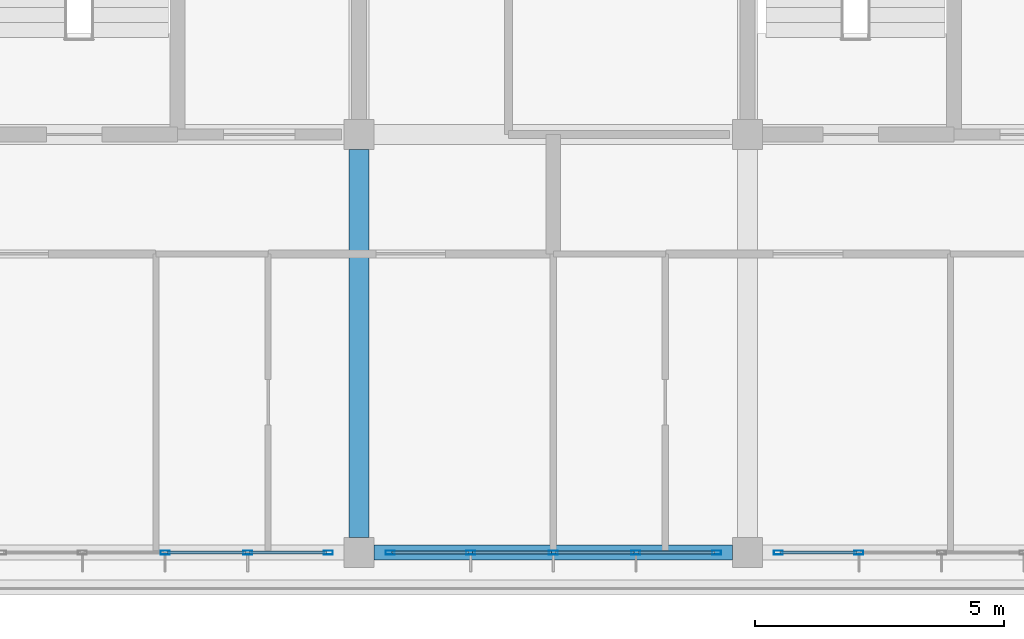
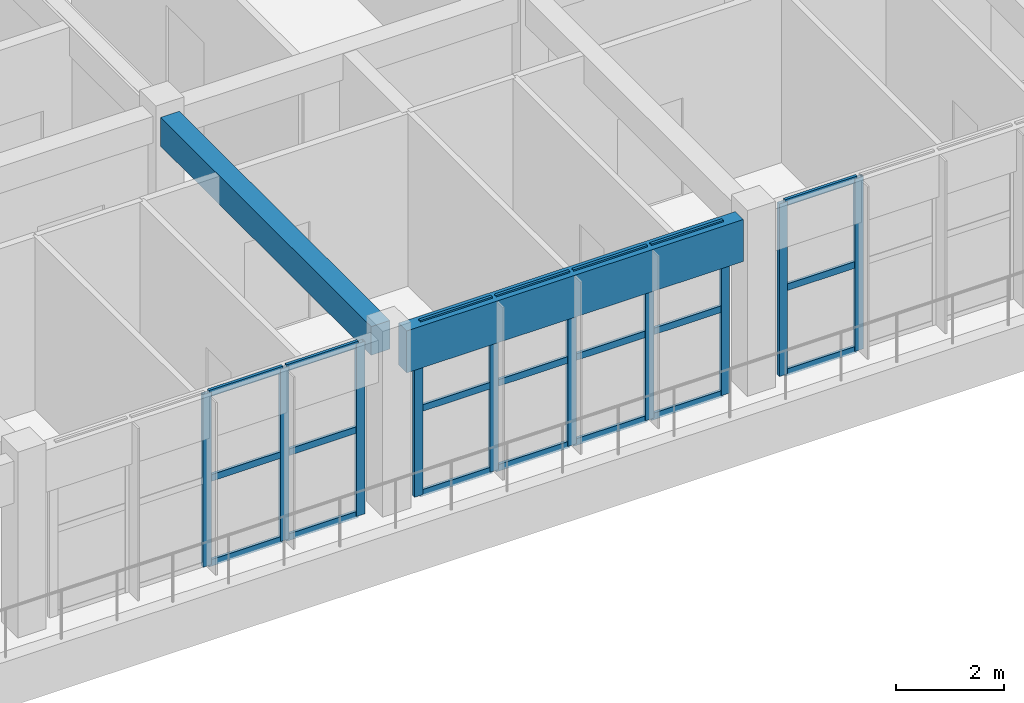
# One storey, part 14 of 56: 31 members, 2 beams, 3 elements without a shape of their own.
"""IFC4 building model written with IfcOpenShell, lengths in metres."""

from ifc_helpers import new_model, si_unit, direction, frame, origin, origin_2d, place, context, subcontext, project, spatial, rectangle, hollow_rectangle, extrude, material, layer, layer_set, material_profile, profile_set, type_object, element, aggregate, save


model = new_model("IFC4")

# Units and contexts
model_context = context("Model", 3, precision=1e-05, world=origin(), true_north=direction((0.0, 1.0)))
body_context = subcontext(model_context, "Body", "Model", "MODEL_VIEW")
ifc_project = project(units=[si_unit("LENGTHUNIT", "METRE"), si_unit("AREAUNIT", "SQUARE_METRE"), si_unit("VOLUMEUNIT", "CUBIC_METRE"), si_unit("PLANEANGLEUNIT", "RADIAN"), si_unit("MASSUNIT", "GRAM", prefix="KILO")], contexts=[model_context])

# Site, building, storey
site_placement = place(None, origin())
site = spatial("IfcSite", under=ifc_project, at=site_placement, CompositionType="ELEMENT")
building_placement = place(site_placement, origin())
building = spatial("IfcBuilding", under=site, at=building_placement, Name="Zizhar Promenade General Hospital", CompositionType="ELEMENT")
storey_placement = place(building_placement, frame((0.0, 0.0, 26.39990234375)))
storey = spatial("IfcBuildingStorey", under=building, at=storey_placement, Name="L06", CompositionType="ELEMENT", Elevation=26.39990234375)

# Beams
ifc_material_1 = material(Name="Precast concrete C40/50", Category="concrete")
ifc_material_profile_1 = material_profile(ifc_material_1, rectangle(XDim=0.300048828125, YDim=0.949951171875, at=origin_2d()))
ifc_profile_set_1 = profile_set([ifc_material_profile_1], Name="Precast concrete C40/50")
beam_type_1 = type_object("IfcBeamType", Name="BM-PC-BAND950", PredefinedType="SPANDREL", material=ifc_profile_set_1)
beam_1_placement = place(storey_placement, frame((70.5, 0.0, 3.43505859375), z_axis=(1.0, 0.0, 0.0), x_axis=(0.0, 1.0, 0.0)))
element("IfcBeam", 1, at=beam_1_placement, inside=storey, type_object=beam_type_1, Name="Grid Beam X L06 (9-0)", PredefinedType="SPANDREL", context=body_context, shape_type="SweptSolid", body=[
    extrude(rectangle(XDim=0.300048828125, YDim=0.949951171875, at=origin_2d()), origin(), (0.0, 0.0, 1.0), 7.199951171875),
])
ifc_material_2 = material(Name="Concrete C35/45", Category="concrete")
ifc_material_profile_2 = material_profile(ifc_material_2, rectangle(XDim=0.39990234375, YDim=0.64990234375, at=origin_2d()))
ifc_profile_set_2 = profile_set([ifc_material_profile_2], Name="Concrete C35/45")
beam_type_2 = type_object("IfcBeamType", Name="BM-RC-400x650", PredefinedType="BEAM", material=ifc_profile_set_2)
beam_2_placement = place(storey_placement, frame((70.199951171875, 0.300048828125, 3.585205078125), z_axis=(0.0, 1.0, 0.0), x_axis=(-1.0, 0.0, 0.0)))
element("IfcBeam", 2, at=beam_2_placement, inside=storey, type_object=beam_type_2, Name="Grid Beam Y L06 (9-0)", PredefinedType="BEAM", context=body_context, shape_type="SweptSolid", body=[
    extrude(rectangle(XDim=0.39990234375, YDim=0.64990234375, at=origin_2d()), origin(), (0.0, 0.0, 1.0), 7.800048828125),
])

# Curtain wall, members
ifc_material_3 = material(Name="Anodised aluminium 6063-T6 and low-E glass", Category="aluminium")
ifc_layer = layer(ifc_material_3, 0.159912109375)
ifc_layer_set = layer_set([ifc_layer], Name="Anodised aluminium 6063-T6 and low-E glass")
curtain_wall_type = type_object("IfcCurtainWallType", Name="CW-WARD-RIB", PredefinedType="NOTDEFINED", material=ifc_layer_set)
curtain_wall_1_placement = place(storey_placement, origin())
curtain_wall_1 = element("IfcCurtainWall", 3, at=curtain_wall_1_placement, inside=storey, type_object=curtain_wall_type, Name="Ward Ribbon Curtain Wall L06-17-4", PredefinedType="NOTDEFINED")
ifc_material_4 = material(Name="Anodised aluminium 6063-T6", Category="aluminium")
ifc_material_profile_3 = material_profile(ifc_material_4, hollow_rectangle(XDim=0.080078125, YDim=0.179931640625, WallThickness=0.0048828125, at=origin_2d()))
ifc_profile_set_3 = profile_set([ifc_material_profile_3], Name="Anodised aluminium 6063-T6")
member_type_1 = type_object("IfcMemberType", Name="CWM-ALU-180x80", PredefinedType="MULLION", material=ifc_profile_set_3)
member_1_placement = place(storey_placement, frame((80.239990234375, 0.0, 0.0), z_axis=(0.0, 0.0, 1.0), x_axis=(0.0, -1.0, 0.0)))
member_1 = element("IfcMember", 4, at=member_1_placement, type_object=member_type_1, Name="CW-13 mullion 4", PredefinedType="MULLION", context=body_context, shape_type="SweptSolid", body=[
    extrude(hollow_rectangle(XDim=0.080078125, YDim=0.179931640625, WallThickness=0.0048828125, at=origin_2d()), origin(), (0.0, 0.0, 1.0), 3.900146484375),
])
member_2_placement = place(storey_placement, frame((78.6201171875, 0.0, 0.0), z_axis=(0.0, 0.0, 1.0), x_axis=(0.0, -1.0, 0.0)))
member_2 = element("IfcMember", 5, at=member_2_placement, type_object=member_type_1, Name="CW-13 mullion 5", PredefinedType="MULLION", context=body_context, shape_type="SweptSolid", body=[
    extrude(hollow_rectangle(XDim=0.080078125, YDim=0.179931640625, WallThickness=0.0048828125, at=origin_2d()), origin(), (0.0, 0.0, 1.0), 3.900146484375),
])

curtain_wall_2_placement = place(storey_placement, origin())
curtain_wall_2 = element("IfcCurtainWall", 6, at=curtain_wall_2_placement, inside=storey, type_object=curtain_wall_type, Name="Ward Ribbon Curtain Wall L06-17-5", PredefinedType="NOTDEFINED")
member_3_placement = place(storey_placement, frame((77.3798828125, 0.0, 0.0), z_axis=(0.0, 0.0, 1.0), x_axis=(0.0, -1.0, 0.0)))
member_3 = element("IfcMember", 7, at=member_3_placement, type_object=member_type_1, Name="CW-13 mullion 1", PredefinedType="MULLION", context=body_context, shape_type="SweptSolid", body=[
    extrude(hollow_rectangle(XDim=0.080078125, YDim=0.179931640625, WallThickness=0.0048828125, at=origin_2d()), origin(), (0.0, 0.0, 1.0), 3.900146484375),
])
member_4_placement = place(storey_placement, frame((75.760009765625, 0.0, 0.0), z_axis=(0.0, 0.0, 1.0), x_axis=(0.0, -1.0, 0.0)))
member_4 = element("IfcMember", 8, at=member_4_placement, type_object=member_type_1, Name="CW-13 mullion 2", PredefinedType="MULLION", context=body_context, shape_type="SweptSolid", body=[
    extrude(hollow_rectangle(XDim=0.080078125, YDim=0.179931640625, WallThickness=0.0048828125, at=origin_2d()), origin(), (0.0, 0.0, 1.0), 3.900146484375),
])
member_5_placement = place(storey_placement, frame((74.10009765625, 0.0, 0.0), z_axis=(0.0, 0.0, 1.0), x_axis=(0.0, -1.0, 0.0)))
member_5 = element("IfcMember", 9, at=member_5_placement, type_object=member_type_1, Name="CW-13 mullion 3", PredefinedType="MULLION", context=body_context, shape_type="SweptSolid", body=[
    extrude(hollow_rectangle(XDim=0.080078125, YDim=0.179931640625, WallThickness=0.0048828125, at=origin_2d()), origin(), (0.0, 0.0, 1.0), 3.900146484375),
])
member_6_placement = place(storey_placement, frame((72.43994140625, 0.0, 0.0), z_axis=(0.0, 0.0, 1.0), x_axis=(0.0, -1.0, 0.0)))
member_6 = element("IfcMember", 10, at=member_6_placement, type_object=member_type_1, Name="CW-13 mullion 4", PredefinedType="MULLION", context=body_context, shape_type="SweptSolid", body=[
    extrude(hollow_rectangle(XDim=0.080078125, YDim=0.179931640625, WallThickness=0.0048828125, at=origin_2d()), origin(), (0.0, 0.0, 1.0), 3.900146484375),
])
member_7_placement = place(storey_placement, frame((70.820068359375, 0.0, 0.0), z_axis=(0.0, 0.0, 1.0), x_axis=(0.0, -1.0, 0.0)))
member_7 = element("IfcMember", 11, at=member_7_placement, type_object=member_type_1, Name="CW-13 mullion 5", PredefinedType="MULLION", context=body_context, shape_type="SweptSolid", body=[
    extrude(hollow_rectangle(XDim=0.080078125, YDim=0.179931640625, WallThickness=0.0048828125, at=origin_2d()), origin(), (0.0, 0.0, 1.0), 3.900146484375),
])

curtain_wall_3_placement = place(storey_placement, origin())
curtain_wall_3 = element("IfcCurtainWall", 12, at=curtain_wall_3_placement, inside=storey, type_object=curtain_wall_type, Name="Ward Ribbon Curtain Wall L06-17-6", PredefinedType="NOTDEFINED")
member_8_placement = place(storey_placement, frame((69.580078125, 0.0, 0.0), z_axis=(0.0, 0.0, 1.0), x_axis=(0.0, -1.0, 0.0)))
member_8 = element("IfcMember", 13, at=member_8_placement, type_object=member_type_1, Name="CW-13 mullion 1", PredefinedType="MULLION", context=body_context, shape_type="SweptSolid", body=[
    extrude(hollow_rectangle(XDim=0.080078125, YDim=0.179931640625, WallThickness=0.0048828125, at=origin_2d()), origin(), (0.0, 0.0, 1.0), 3.900146484375),
])
member_9_placement = place(storey_placement, frame((67.9599609375, 0.0, 0.0), z_axis=(0.0, 0.0, 1.0), x_axis=(0.0, -1.0, 0.0)))
member_9 = element("IfcMember", 14, at=member_9_placement, type_object=member_type_1, Name="CW-13 mullion 2", PredefinedType="MULLION", context=body_context, shape_type="SweptSolid", body=[
    extrude(hollow_rectangle(XDim=0.080078125, YDim=0.179931640625, WallThickness=0.0048828125, at=origin_2d()), origin(), (0.0, 0.0, 1.0), 3.900146484375),
])
member_10_placement = place(storey_placement, frame((66.300048828125, 0.0, 0.0), z_axis=(0.0, 0.0, 1.0), x_axis=(0.0, -1.0, 0.0)))
member_10 = element("IfcMember", 15, at=member_10_placement, type_object=member_type_1, Name="CW-13 mullion 3", PredefinedType="MULLION", context=body_context, shape_type="SweptSolid", body=[
    extrude(hollow_rectangle(XDim=0.080078125, YDim=0.179931640625, WallThickness=0.0048828125, at=origin_2d()), origin(), (0.0, 0.0, 1.0), 3.900146484375),
])

# Member
ifc_material_5 = material(Name="Anodised aluminium 6063-T6", Category="aluminium")
ifc_material_profile_4 = material_profile(ifc_material_5, hollow_rectangle(XDim=0.06005859375, YDim=0.14990234375, WallThickness=0.00390625, at=origin_2d()))
ifc_profile_set_4 = profile_set([ifc_material_profile_4], Name="Anodised aluminium 6063-T6")
member_type_2 = type_object("IfcMemberType", Name="CWT-ALU-150x60", PredefinedType="USERDEFINED", material=ifc_profile_set_4)
member_11_placement = place(storey_placement, frame((80.199951171875, 0.0, 0.030029296875), z_axis=(-1.0, 0.0, 0.0), x_axis=(0.0, -1.0, 0.0)))
member_11 = element("IfcMember", 16, at=member_11_placement, type_object=member_type_2, Name="CW-13 transom 4.1", ObjectType="TRANSOM", PredefinedType="USERDEFINED", context=body_context, shape_type="SweptSolid", body=[
    extrude(hollow_rectangle(XDim=0.06005859375, YDim=0.14990234375, WallThickness=0.00390625, at=origin_2d()), origin(), (0.0, 0.0, 1.0), 1.5400390625),
])

member_12_placement = place(storey_placement, frame((80.199951171875, 0.0, 1.9501953125), z_axis=(-1.0, 0.0, 0.0), x_axis=(0.0, -1.0, 0.0)))
member_12 = element("IfcMember", 17, at=member_12_placement, type_object=member_type_2, Name="CW-13 transom 4.2", ObjectType="TRANSOM", PredefinedType="USERDEFINED", context=body_context, shape_type="SweptSolid", body=[
    extrude(hollow_rectangle(XDim=0.06005859375, YDim=0.14990234375, WallThickness=0.00390625, at=origin_2d()), origin(), (0.0, 0.0, 1.0), 1.5400390625),
])

member_13_placement = place(storey_placement, frame((80.199951171875, 0.0, 3.8701171875), z_axis=(-1.0, 0.0, 0.0), x_axis=(0.0, -1.0, 0.0)))
member_13 = element("IfcMember", 18, at=member_13_placement, type_object=member_type_2, Name="CW-13 transom 4.3", ObjectType="TRANSOM", PredefinedType="USERDEFINED", context=body_context, shape_type="SweptSolid", body=[
    extrude(hollow_rectangle(XDim=0.06005859375, YDim=0.14990234375, WallThickness=0.00390625, at=origin_2d()), origin(), (0.0, 0.0, 1.0), 1.5400390625),
])

aggregate(curtain_wall_1, [member_1, member_2, member_11, member_12, member_13])

member_14_placement = place(storey_placement, frame((77.340087890625, 0.0, 0.030029296875), z_axis=(-1.0, 0.0, 0.0), x_axis=(0.0, -1.0, 0.0)))
member_14 = element("IfcMember", 19, at=member_14_placement, type_object=member_type_2, Name="CW-13 transom 1.1", ObjectType="TRANSOM", PredefinedType="USERDEFINED", context=body_context, shape_type="SweptSolid", body=[
    extrude(hollow_rectangle(XDim=0.06005859375, YDim=0.14990234375, WallThickness=0.00390625, at=origin_2d()), origin(), (0.0, 0.0, 1.0), 1.5400390625),
])

member_15_placement = place(storey_placement, frame((77.340087890625, 0.0, 1.9501953125), z_axis=(-1.0, 0.0, 0.0), x_axis=(0.0, -1.0, 0.0)))
member_15 = element("IfcMember", 20, at=member_15_placement, type_object=member_type_2, Name="CW-13 transom 1.2", ObjectType="TRANSOM", PredefinedType="USERDEFINED", context=body_context, shape_type="SweptSolid", body=[
    extrude(hollow_rectangle(XDim=0.06005859375, YDim=0.14990234375, WallThickness=0.00390625, at=origin_2d()), origin(), (0.0, 0.0, 1.0), 1.5400390625),
])

member_16_placement = place(storey_placement, frame((77.340087890625, 0.0, 3.8701171875), z_axis=(-1.0, 0.0, 0.0), x_axis=(0.0, -1.0, 0.0)))
member_16 = element("IfcMember", 21, at=member_16_placement, type_object=member_type_2, Name="CW-13 transom 1.3", ObjectType="TRANSOM", PredefinedType="USERDEFINED", context=body_context, shape_type="SweptSolid", body=[
    extrude(hollow_rectangle(XDim=0.06005859375, YDim=0.14990234375, WallThickness=0.00390625, at=origin_2d()), origin(), (0.0, 0.0, 1.0), 1.5400390625),
])

member_17_placement = place(storey_placement, frame((75.719970703125, 0.0, 0.030029296875), z_axis=(-1.0, 0.0, 0.0), x_axis=(0.0, -1.0, 0.0)))
member_17 = element("IfcMember", 22, at=member_17_placement, type_object=member_type_2, Name="CW-13 transom 2.1", ObjectType="TRANSOM", PredefinedType="USERDEFINED", context=body_context, shape_type="SweptSolid", body=[
    extrude(hollow_rectangle(XDim=0.06005859375, YDim=0.14990234375, WallThickness=0.00390625, at=origin_2d()), origin(), (0.0, 0.0, 1.0), 1.580078125),
])

member_18_placement = place(storey_placement, frame((75.719970703125, 0.0, 1.9501953125), z_axis=(-1.0, 0.0, 0.0), x_axis=(0.0, -1.0, 0.0)))
member_18 = element("IfcMember", 23, at=member_18_placement, type_object=member_type_2, Name="CW-13 transom 2.2", ObjectType="TRANSOM", PredefinedType="USERDEFINED", context=body_context, shape_type="SweptSolid", body=[
    extrude(hollow_rectangle(XDim=0.06005859375, YDim=0.14990234375, WallThickness=0.00390625, at=origin_2d()), origin(), (0.0, 0.0, 1.0), 1.580078125),
])

member_19_placement = place(storey_placement, frame((75.719970703125, 0.0, 3.8701171875), z_axis=(-1.0, 0.0, 0.0), x_axis=(0.0, -1.0, 0.0)))
member_19 = element("IfcMember", 24, at=member_19_placement, type_object=member_type_2, Name="CW-13 transom 2.3", ObjectType="TRANSOM", PredefinedType="USERDEFINED", context=body_context, shape_type="SweptSolid", body=[
    extrude(hollow_rectangle(XDim=0.06005859375, YDim=0.14990234375, WallThickness=0.00390625, at=origin_2d()), origin(), (0.0, 0.0, 1.0), 1.580078125),
])

member_20_placement = place(storey_placement, frame((74.06005859375, 0.0, 0.030029296875), z_axis=(-1.0, 0.0, 0.0), x_axis=(0.0, -1.0, 0.0)))
member_20 = element("IfcMember", 25, at=member_20_placement, type_object=member_type_2, Name="CW-13 transom 3.1", ObjectType="TRANSOM", PredefinedType="USERDEFINED", context=body_context, shape_type="SweptSolid", body=[
    extrude(hollow_rectangle(XDim=0.06005859375, YDim=0.14990234375, WallThickness=0.00390625, at=origin_2d()), origin(), (0.0, 0.0, 1.0), 1.580078125),
])

member_21_placement = place(storey_placement, frame((74.06005859375, 0.0, 1.9501953125), z_axis=(-1.0, 0.0, 0.0), x_axis=(0.0, -1.0, 0.0)))
member_21 = element("IfcMember", 26, at=member_21_placement, type_object=member_type_2, Name="CW-13 transom 3.2", ObjectType="TRANSOM", PredefinedType="USERDEFINED", context=body_context, shape_type="SweptSolid", body=[
    extrude(hollow_rectangle(XDim=0.06005859375, YDim=0.14990234375, WallThickness=0.00390625, at=origin_2d()), origin(), (0.0, 0.0, 1.0), 1.580078125),
])

member_22_placement = place(storey_placement, frame((74.06005859375, 0.0, 3.8701171875), z_axis=(-1.0, 0.0, 0.0), x_axis=(0.0, -1.0, 0.0)))
member_22 = element("IfcMember", 27, at=member_22_placement, type_object=member_type_2, Name="CW-13 transom 3.3", ObjectType="TRANSOM", PredefinedType="USERDEFINED", context=body_context, shape_type="SweptSolid", body=[
    extrude(hollow_rectangle(XDim=0.06005859375, YDim=0.14990234375, WallThickness=0.00390625, at=origin_2d()), origin(), (0.0, 0.0, 1.0), 1.580078125),
])

member_23_placement = place(storey_placement, frame((72.39990234375, 0.0, 0.030029296875), z_axis=(-1.0, 0.0, 0.0), x_axis=(0.0, -1.0, 0.0)))
member_23 = element("IfcMember", 28, at=member_23_placement, type_object=member_type_2, Name="CW-13 transom 4.1", ObjectType="TRANSOM", PredefinedType="USERDEFINED", context=body_context, shape_type="SweptSolid", body=[
    extrude(hollow_rectangle(XDim=0.06005859375, YDim=0.14990234375, WallThickness=0.00390625, at=origin_2d()), origin(), (0.0, 0.0, 1.0), 1.539794921875),
])

member_24_placement = place(storey_placement, frame((72.39990234375, 0.0, 1.9501953125), z_axis=(-1.0, 0.0, 0.0), x_axis=(0.0, -1.0, 0.0)))
member_24 = element("IfcMember", 29, at=member_24_placement, type_object=member_type_2, Name="CW-13 transom 4.2", ObjectType="TRANSOM", PredefinedType="USERDEFINED", context=body_context, shape_type="SweptSolid", body=[
    extrude(hollow_rectangle(XDim=0.06005859375, YDim=0.14990234375, WallThickness=0.00390625, at=origin_2d()), origin(), (0.0, 0.0, 1.0), 1.539794921875),
])

member_25_placement = place(storey_placement, frame((72.39990234375, 0.0, 3.8701171875), z_axis=(-1.0, 0.0, 0.0), x_axis=(0.0, -1.0, 0.0)))
member_25 = element("IfcMember", 30, at=member_25_placement, type_object=member_type_2, Name="CW-13 transom 4.3", ObjectType="TRANSOM", PredefinedType="USERDEFINED", context=body_context, shape_type="SweptSolid", body=[
    extrude(hollow_rectangle(XDim=0.06005859375, YDim=0.14990234375, WallThickness=0.00390625, at=origin_2d()), origin(), (0.0, 0.0, 1.0), 1.539794921875),
])

aggregate(curtain_wall_2, [member_3, member_4, member_5, member_6, member_7, member_14, member_15, member_16, member_17, member_18, member_19, member_20, member_21, member_22, member_23, member_24, member_25])

member_26_placement = place(storey_placement, frame((69.5400390625, 0.0, 0.030029296875), z_axis=(-1.0, 0.0, 0.0), x_axis=(0.0, -1.0, 0.0)))
member_26 = element("IfcMember", 31, at=member_26_placement, type_object=member_type_2, Name="CW-13 transom 1.1", ObjectType="TRANSOM", PredefinedType="USERDEFINED", context=body_context, shape_type="SweptSolid", body=[
    extrude(hollow_rectangle(XDim=0.06005859375, YDim=0.14990234375, WallThickness=0.00390625, at=origin_2d()), origin(), (0.0, 0.0, 1.0), 1.5400390625),
])

member_27_placement = place(storey_placement, frame((69.5400390625, 0.0, 1.9501953125), z_axis=(-1.0, 0.0, 0.0), x_axis=(0.0, -1.0, 0.0)))
member_27 = element("IfcMember", 32, at=member_27_placement, type_object=member_type_2, Name="CW-13 transom 1.2", ObjectType="TRANSOM", PredefinedType="USERDEFINED", context=body_context, shape_type="SweptSolid", body=[
    extrude(hollow_rectangle(XDim=0.06005859375, YDim=0.14990234375, WallThickness=0.00390625, at=origin_2d()), origin(), (0.0, 0.0, 1.0), 1.5400390625),
])

member_28_placement = place(storey_placement, frame((69.5400390625, 0.0, 3.8701171875), z_axis=(-1.0, 0.0, 0.0), x_axis=(0.0, -1.0, 0.0)))
member_28 = element("IfcMember", 33, at=member_28_placement, type_object=member_type_2, Name="CW-13 transom 1.3", ObjectType="TRANSOM", PredefinedType="USERDEFINED", context=body_context, shape_type="SweptSolid", body=[
    extrude(hollow_rectangle(XDim=0.06005859375, YDim=0.14990234375, WallThickness=0.00390625, at=origin_2d()), origin(), (0.0, 0.0, 1.0), 1.5400390625),
])

member_29_placement = place(storey_placement, frame((67.919921875, 0.0, 0.030029296875), z_axis=(-1.0, 0.0, 0.0), x_axis=(0.0, -1.0, 0.0)))
member_29 = element("IfcMember", 34, at=member_29_placement, type_object=member_type_2, Name="CW-13 transom 2.1", ObjectType="TRANSOM", PredefinedType="USERDEFINED", context=body_context, shape_type="SweptSolid", body=[
    extrude(hollow_rectangle(XDim=0.06005859375, YDim=0.14990234375, WallThickness=0.00390625, at=origin_2d()), origin(), (0.0, 0.0, 1.0), 1.579833984375),
])

member_30_placement = place(storey_placement, frame((67.919921875, 0.0, 1.9501953125), z_axis=(-1.0, 0.0, 0.0), x_axis=(0.0, -1.0, 0.0)))
member_30 = element("IfcMember", 35, at=member_30_placement, type_object=member_type_2, Name="CW-13 transom 2.2", ObjectType="TRANSOM", PredefinedType="USERDEFINED", context=body_context, shape_type="SweptSolid", body=[
    extrude(hollow_rectangle(XDim=0.06005859375, YDim=0.14990234375, WallThickness=0.00390625, at=origin_2d()), origin(), (0.0, 0.0, 1.0), 1.579833984375),
])

member_31_placement = place(storey_placement, frame((67.919921875, 0.0, 3.8701171875), z_axis=(-1.0, 0.0, 0.0), x_axis=(0.0, -1.0, 0.0)))
member_31 = element("IfcMember", 36, at=member_31_placement, type_object=member_type_2, Name="CW-13 transom 2.3", ObjectType="TRANSOM", PredefinedType="USERDEFINED", context=body_context, shape_type="SweptSolid", body=[
    extrude(hollow_rectangle(XDim=0.06005859375, YDim=0.14990234375, WallThickness=0.00390625, at=origin_2d()), origin(), (0.0, 0.0, 1.0), 1.579833984375),
])

aggregate(curtain_wall_3, [member_8, member_9, member_10, member_26, member_27, member_28, member_29, member_30, member_31])

save(model, "model.ifc")
